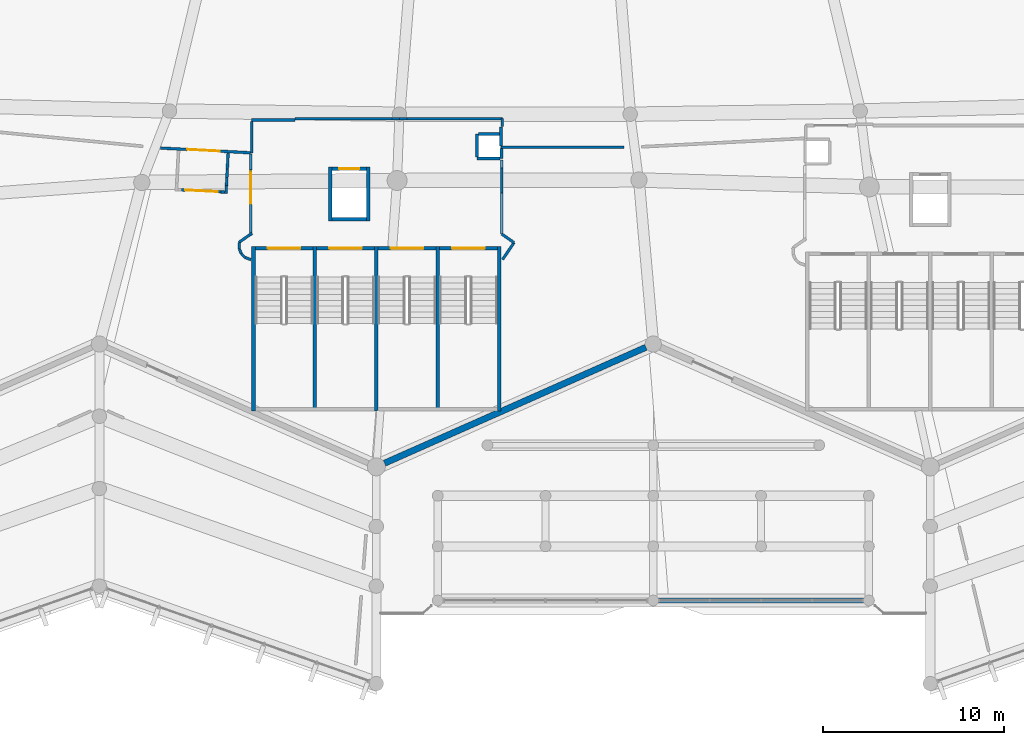
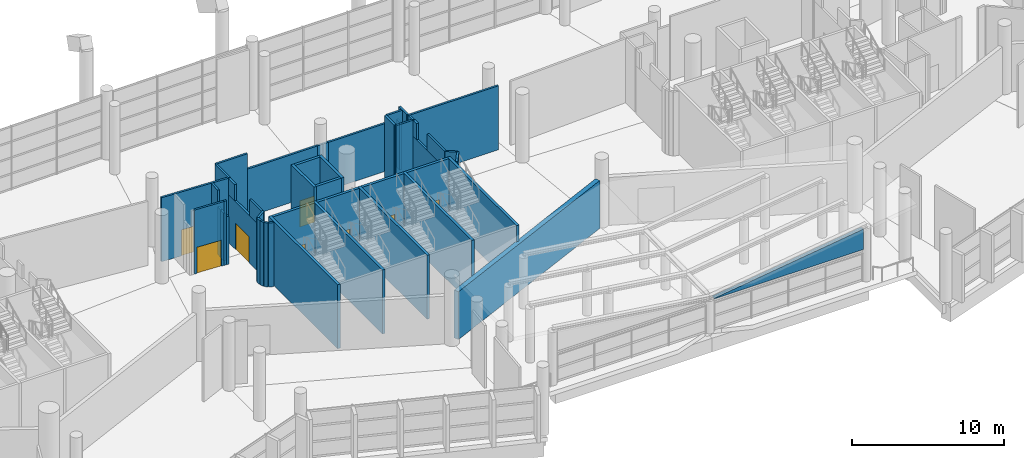
# One storey, part 164 of 271: 48 walls, 8 doors, 8 openings.
"""IFC4 building model written with IfcOpenShell, lengths in metres."""

import ifcopenshell
import ifcopenshell.guid

model = None  # the IFC model being written
_history = None  # IfcOwnerHistory: only IFC2X3 demands one
_inside = {}  # id of a spatial element -> (the spatial element, [elements in it])
_under = {}  # id of a project, library or spatial element -> (it, [spatial elements below it])
_declared = {}  # id of a project -> (the project, [libraries it declares])
_typed = {}  # id of a type object -> (the type object, [elements of that type])
_made_of = {}  # id of a material, layer set ... -> (it, [elements and type objects made of it])


def new_model(schema):
    """Start an empty IFC model of exactly this schema.

    Asked for "IFC4X3", IfcOpenShell would pick the latest addendum, in which some entities
    have other attributes; the version numbers below select the first issue.
    IFC2X3 requires an IfcOwnerHistory on every rooted entity: one is made here for all.
    """
    global model, _history
    if schema == "IFC4X3":
        model = ifcopenshell.file(schema_version=(4, 3, 0, 0))
    else:
        model = ifcopenshell.file(schema=schema)
    _inside.clear()
    _under.clear()
    _declared.clear()
    _typed.clear()
    _made_of.clear()
    _history = None
    if model.schema == "IFC2X3":
        org = make("IfcOrganization", Name="unknown")
        user = make(
            "IfcPersonAndOrganization",
            ThePerson=make("IfcPerson", FamilyName="unknown"),
            TheOrganization=org,
        )
        app = make(
            "IfcApplication",
            ApplicationDeveloper=org,
            Version="unknown",
            ApplicationFullName="unknown",
            ApplicationIdentifier="unknown",
        )
        _history = make(
            "IfcOwnerHistory",
            OwningUser=user,
            OwningApplication=app,
            ChangeAction="ADDED",
            CreationDate=0,
        )
    return model


def make(cls, **values):
    """One entity of the class cls with the attributes given. An attribute that is None is left unset."""
    return model.create_entity(
        cls, **{name: value for name, value in values.items() if value is not None}
    )


def rooted(cls, **values):
    """An entity with a GlobalId (a new one), such as an element, a storey or a relation."""
    return make(cls, GlobalId=ifcopenshell.guid.new(), OwnerHistory=_history, **values)


def si_unit(unit_type, name, prefix=None):
    """IfcSIUnit, for example si_unit("LENGTHUNIT", "METRE", prefix="MILLI")."""
    return make("IfcSIUnit", UnitType=unit_type, Prefix=prefix, Name=name)


def assignment(units):
    """IfcUnitAssignment: the units of a project."""
    return None if units is None else make("IfcUnitAssignment", Units=units)


def point(xyz):
    """IfcCartesianPoint."""
    return None if xyz is None else make("IfcCartesianPoint", Coordinates=xyz)


def direction(xyz):
    """IfcDirection."""
    return None if xyz is None else make("IfcDirection", DirectionRatios=xyz)


def frame(location, z_axis=None, x_axis=None):
    """IfcAxis2Placement3D, a coordinate frame: its origin and axes. An axis left out is left unset."""
    return make(
        "IfcAxis2Placement3D",
        Location=point(location),
        Axis=direction(z_axis),
        RefDirection=direction(x_axis),
    )


def frame_2d(location, x_axis=None):
    """IfcAxis2Placement2D, a coordinate frame in the plane: its origin and x axis."""
    return make(
        "IfcAxis2Placement2D", Location=point(location), RefDirection=direction(x_axis)
    )


def origin():
    """The frame at (0, 0, 0) with its axes left unset."""
    return frame((0.0, 0.0, 0.0))


def place(relative_to, where):
    """IfcLocalPlacement: puts the frame where relative to a parent placement (None: the world)."""
    return make(
        "IfcLocalPlacement", PlacementRelTo=relative_to, RelativePlacement=where
    )


def context(
    kind, dimensions, precision=None, world=None, true_north=None, identifier=None
):
    """IfcGeometricRepresentationContext, for example the 3D "Model" context."""
    return make(
        "IfcGeometricRepresentationContext",
        ContextIdentifier=identifier,
        ContextType=kind,
        CoordinateSpaceDimension=dimensions,
        Precision=precision,
        WorldCoordinateSystem=world,
        TrueNorth=true_north,
    )


def subcontext(parent, identifier, kind, view, scale=None):
    """IfcGeometricRepresentationSubContext, for example "Body" below "Model"."""
    return make(
        "IfcGeometricRepresentationSubContext",
        ContextIdentifier=identifier,
        ContextType=kind,
        ParentContext=parent,
        TargetScale=scale,
        TargetView=view,
    )


def project(units=None, contexts=None):
    """IfcProject with its units and contexts."""
    return rooted(
        "IfcProject",
        Name="project",
        RepresentationContexts=contexts,
        UnitsInContext=assignment(units),
    )


def spatial(cls, under=None, at=None, **own):
    """A site, building, storey or space (cls), placed at a placement, below another one or the project."""
    s = rooted(cls, ObjectPlacement=at, **own)
    if under is not None:
        _under.setdefault(under.id(), (under, []))[1].append(s)
    return s


def polyline(points):
    """IfcPolyline through the points."""
    return make("IfcPolyline", Points=[point(p) for p in points])


def profile(cls, at=None, kind="AREA", **sizes):
    """A parametric profile (cls). Its sizes go by their IFC names, for example OverallWidth=200.0."""
    return make(cls, ProfileType=kind, Position=at, **sizes)


def rectangle(**sizes):
    """IfcRectangleProfileDef."""
    return profile("IfcRectangleProfileDef", **sizes)


def outline(outer, holes=None, kind="AREA"):
    """IfcArbitraryClosedProfileDef: a profile drawn as a closed curve; with holes, ...WithVoids."""
    if holes is None:
        return make("IfcArbitraryClosedProfileDef", ProfileType=kind, OuterCurve=outer)
    return make(
        "IfcArbitraryProfileDefWithVoids",
        ProfileType=kind,
        OuterCurve=outer,
        InnerCurves=holes,
    )


def extrude(swept, where, along, depth):
    """IfcExtrudedAreaSolid: the profile swept, set in the frame where, extruded along a direction by depth."""
    return make(
        "IfcExtrudedAreaSolid",
        SweptArea=swept,
        Position=where,
        ExtrudedDirection=direction(along),
        Depth=depth,
    )


def shape(context_of_items, identifier, shape_type, items):
    """IfcShapeRepresentation: the items that make up one representation, for example the "Body"."""
    return make(
        "IfcShapeRepresentation",
        ContextOfItems=context_of_items,
        RepresentationIdentifier=identifier,
        RepresentationType=shape_type,
        Items=items,
    )


def material(Name=None, Category=None):
    """IfcMaterial."""
    return make("IfcMaterial", Name=Name, Category=Category)


def layer(
    of_material, thickness, ventilated=None, Name=None, Category=None, Priority=None
):
    """IfcMaterialLayer: one layer of a wall or slab, of a material (None: an air gap)."""
    return make(
        "IfcMaterialLayer",
        Material=of_material,
        LayerThickness=thickness,
        IsVentilated=ventilated,
        Name=Name,
        Category=Category,
        Priority=Priority,
    )


def layer_set(layers, Name=None):
    """IfcMaterialLayerSet."""
    return make("IfcMaterialLayerSet", MaterialLayers=layers, LayerSetName=Name)


def made_of(thing, what):
    """Note that an element or type object is made of a material, layer set ...; save() writes the relation."""
    if what is not None:
        _made_of.setdefault(what.id(), (what, []))[1].append(thing)
    return thing


def type_object(cls, material=None, **own):
    """A type object (cls), such as IfcWallType, which elements share."""
    return made_of(rooted(cls, **own), material)


def element(
    cls,
    number,
    at=None,
    inside=None,
    cuts=None,
    type_object=None,
    material=None,
    context=None,
    identifier="Body",
    shape_type=None,
    held_by="IfcProductDefinitionShape",
    body=None,
    shapes=None,
    **own,
):
    """One element of the class cls, such as IfcWall. Its Tag is "e" and its number.

    at: its placement. inside: the storey or other place that contains it. cuts: it is an
    opening in that element (IfcRelVoidsElement). A single representation is given by context,
    identifier, shape_type and body (its items); several are given by shapes. held_by: the class
    of the entity that holds the representations. save() writes the other relations.
    """
    e = rooted(cls, Tag="e%d" % number, ObjectPlacement=at, **own)
    if body is not None:
        shapes = [shape(context, identifier, shape_type, body)]
    if shapes is not None:
        e.Representation = make(held_by, Representations=shapes)
    if inside is not None:
        _inside.setdefault(inside.id(), (inside, []))[1].append(e)
    if cuts is not None:
        rooted(
            "IfcRelVoidsElement", RelatingBuildingElement=cuts, RelatedOpeningElement=e
        )
    if type_object is not None:
        _typed.setdefault(type_object.id(), (type_object, []))[1].append(e)
    return made_of(e, material)


def fill(opening, filler):
    """IfcRelFillsElement: the door or window that sits in an opening."""
    return rooted(
        "IfcRelFillsElement",
        RelatingOpeningElement=opening,
        RelatedBuildingElement=filler,
    )


def aggregate(whole, parts):
    """IfcRelAggregates: a whole, such as a stair, and the parts it consists of."""
    return rooted("IfcRelAggregates", RelatingObject=whole, RelatedObjects=parts)


def save(model, path):
    """Write the relations noted so far, then the file.

    IfcRelAggregates (storeys below a building ...), IfcRelContainedInSpatialStructure (elements
    in a storey), IfcRelDefinesByType, IfcRelAssociatesMaterial and IfcRelDeclares: one each for
    every whole, place, type object, material and project.
    """
    for whole, parts in _under.values():
        aggregate(whole, parts)
    for where, things in _inside.values():
        rooted(
            "IfcRelContainedInSpatialStructure",
            RelatedElements=things,
            RelatingStructure=where,
        )
    for kind, things in _typed.values():
        rooted("IfcRelDefinesByType", RelatedObjects=things, RelatingType=kind)
    for what, things in _made_of.values():
        rooted("IfcRelAssociatesMaterial", RelatedObjects=things, RelatingMaterial=what)
    for by, libraries in _declared.values():
        rooted("IfcRelDeclares", RelatingContext=by, RelatedDefinitions=libraries)
    model.write(path)


model = new_model("IFC4")

# Units and contexts
model_context = context("Model", 3, precision=1e-05, world=origin(), true_north=direction((0.0, 1.0)))
body_context = subcontext(model_context, "Body", "Model", "MODEL_VIEW")
ifc_project = project(units=[si_unit("LENGTHUNIT", "METRE"), si_unit("AREAUNIT", "SQUARE_METRE"), si_unit("VOLUMEUNIT", "CUBIC_METRE"), si_unit("PLANEANGLEUNIT", "RADIAN"), si_unit("MASSUNIT", "GRAM", prefix="KILO")], contexts=[model_context])

# Site, building, storey
site_placement = place(None, origin())
site = spatial("IfcSite", under=ifc_project, at=site_placement, CompositionType="ELEMENT")
building_placement = place(site_placement, origin())
building = spatial("IfcBuilding", under=site, at=building_placement, Name="Meseta Stadium", CompositionType="ELEMENT")
storey_placement = place(building_placement, frame((0.0, 0.0, 6.5)))
storey = spatial("IfcBuildingStorey", under=building, at=storey_placement, Name="L01", CompositionType="ELEMENT", Elevation=6.5)

# Walls
ifc_material_1 = material(Name="Concrete C40/50", Category="concrete")
ifc_layer_1 = layer(ifc_material_1, 0.199951171875)
ifc_layer_set_1 = layer_set([ifc_layer_1], Name="Core divider wall 200")
wall_type_1 = type_object("IfcWallType", Name="Core divider wall 200", PredefinedType="SHEAR", material=ifc_layer_set_1)
for number, where, z_axis, x_axis, name in (
    (1, (-11.066650390625, -102.300048828125, 0.0), (0.0, 0.0, 1.0), (0.0, 1.0, 0.0), "Core 24 L01 stair A divider wall"),
    (2, (-4.2666015625, -102.300048828125, 0.0), (0.0, 0.0, 1.0), (0.0, 1.0, 0.0), "Core 24 L01 stair B divider wall"),
):
    element("IfcWall", number, at=place(storey_placement, frame(where, z_axis=z_axis, x_axis=x_axis)), inside=storey, type_object=wall_type_1, Name=name, PredefinedType="SHEAR", context=body_context, shape_type="SweptSolid", body=[
        extrude(rectangle(XDim=9.10009765625, YDim=0.199951171875, at=frame_2d((4.550048828125, 0.0))), origin(), (0.0, 0.0, 1.0), 5.14990234375),
    ])
ifc_material_2 = material(Name="Concrete C40/50", Category="concrete")
ifc_layer_2 = layer(ifc_material_2, 0.199951171875)
ifc_layer_set_2 = layer_set([ifc_layer_2], Name="Core shaft wall 200")
wall_type_2 = type_object("IfcWallType", Name="Core shaft wall 200", PredefinedType="SHEAR", material=ifc_layer_set_2)
for number, where, z_axis, x_axis, name in (
    (3, (-14.466796875, -102.300048828125, 0.0), (0.0, 0.0, 1.0), (0.0, 1.0, 0.0), "Core 24 L01 stair wall A-side"),
    (4, (-7.666748046875, -102.300048828125, 0.0), (0.0, 0.0, 1.0), (0.0, 1.0, 0.0), "Core 24 L01 stair wall shared"),
    (5, (-0.86669921875, -102.300048828125, 0.0), (0.0, 0.0, 1.0), (0.0, 1.0, 0.0), "Core 24 L01 stair wall B-side"),
):
    element("IfcWall", number, at=place(storey_placement, frame(where, z_axis=z_axis, x_axis=x_axis)), inside=storey, type_object=wall_type_2, Name=name, PredefinedType="SHEAR", context=body_context, shape_type="SweptSolid", body=[
        extrude(rectangle(XDim=9.10009765625, YDim=0.199951171875, at=frame_2d((4.550048828125, 0.0))), origin(), (0.0, 0.0, 1.0), 5.14990234375),
    ])

# Wall, opening, door
wall_1_placement = place(storey_placement, frame((-14.36669921875, -93.300048828125, 0.0), z_axis=(0.0, 0.0, 1.0), x_axis=(1.0, 0.0, 0.0)))
wall_1 = element("IfcWall", 6, at=wall_1_placement, inside=storey, type_object=wall_type_2, Name="Core 24 L01 stair A1 inner end wall", PredefinedType="SHEAR", context=body_context, shape_type="SweptSolid", body=[
    extrude(rectangle(XDim=3.199951171875, YDim=0.199951171875, at=frame_2d((1.60009765625, 0.0))), origin(), (0.0, 0.0, 1.0), 5.14990234375),
])
opening_1_placement = place(wall_1_placement, frame((0.699951171875, 0.0, 0.0)))
opening_1 = element("IfcOpeningElement", 7, at=opening_1_placement, cuts=wall_1, Name="Opening D325", PredefinedType="OPENING", context=body_context, shape_type="SweptSolid", body=[
    extrude(rectangle(XDim=1.800048828125, YDim=2.10009765625, at=frame_2d((0.89990234375, 1.050048828125))), frame((0.0, 0.10986328125, 0.0), z_axis=(0.0, -1.0, 0.0), x_axis=(1.0, 0.0, 0.0)), (0.0, 0.0, 1.0), 0.219970703125),
])
ifc_material_3 = material(Name="Steel", Category="steel")
door_type_1 = type_object("IfcDoorType", Name="Stair door 1800x2100", OperationType="DOUBLE_DOOR_SINGLE_SWING", PredefinedType="DOOR", material=ifc_material_3)
door_1_placement = place(opening_1_placement, origin())
door_1 = element("IfcDoor", 8, at=door_1_placement, inside=storey, type_object=door_type_1, Name="Stair A1 door 24 L01", OperationType="DOUBLE_DOOR_SINGLE_SWING", OverallHeight=2.10009765625, OverallWidth=1.800048828125, PredefinedType="DOOR", context=body_context, shape_type="SweptSolid", body=[
    extrude(rectangle(XDim=1.800048828125, YDim=2.10009765625, at=frame_2d((0.89990234375, 1.050048828125))), frame((0.0, 0.02490234375, 0.0), z_axis=(0.0, -1.0, 0.0), x_axis=(1.0, 0.0, 0.0)), (0.0, 0.0, 1.0), 0.050048828125),
])
fill(opening_1, door_1)

wall_2_placement = place(storey_placement, frame((-10.966796875, -93.300048828125, 0.0), z_axis=(0.0, 0.0, 1.0), x_axis=(1.0, 0.0, 0.0)))
wall_2 = element("IfcWall", 9, at=wall_2_placement, inside=storey, type_object=wall_type_2, Name="Core 24 L01 stair A2 inner end wall", PredefinedType="SHEAR", context=body_context, shape_type="SweptSolid", body=[
    extrude(rectangle(XDim=3.2001953125, YDim=0.199951171875, at=frame_2d((1.60009765625, 0.0))), origin(), (0.0, 0.0, 1.0), 5.14990234375),
])
opening_2_placement = place(wall_2_placement, frame((0.699951171875, 0.0, 0.0)))
opening_2 = element("IfcOpeningElement", 10, at=opening_2_placement, cuts=wall_2, Name="Opening D326", PredefinedType="OPENING", context=body_context, shape_type="SweptSolid", body=[
    extrude(rectangle(XDim=1.800048828125, YDim=2.10009765625, at=frame_2d((0.89990234375, 1.050048828125))), frame((0.0, 0.10986328125, 0.0), z_axis=(0.0, -1.0, 0.0), x_axis=(1.0, 0.0, 0.0)), (0.0, 0.0, 1.0), 0.219970703125),
])
door_2_placement = place(opening_2_placement, origin())
door_2 = element("IfcDoor", 11, at=door_2_placement, inside=storey, type_object=door_type_1, Name="Stair A2 door 24 L01", OperationType="DOUBLE_DOOR_SINGLE_SWING", OverallHeight=2.10009765625, OverallWidth=1.800048828125, PredefinedType="DOOR", context=body_context, shape_type="SweptSolid", body=[
    extrude(rectangle(XDim=1.800048828125, YDim=2.10009765625, at=frame_2d((0.89990234375, 1.050048828125))), frame((0.0, 0.02490234375, 0.0), z_axis=(0.0, -1.0, 0.0), x_axis=(1.0, 0.0, 0.0)), (0.0, 0.0, 1.0), 0.050048828125),
])
fill(opening_2, door_2)

wall_3_placement = place(storey_placement, frame((-7.566650390625, -93.300048828125, 0.0), z_axis=(0.0, 0.0, 1.0), x_axis=(1.0, 0.0, 0.0)))
wall_3 = element("IfcWall", 12, at=wall_3_placement, inside=storey, type_object=wall_type_2, Name="Core 24 L01 stair B1 inner end wall", PredefinedType="SHEAR", context=body_context, shape_type="SweptSolid", body=[
    extrude(rectangle(XDim=3.199951171875, YDim=0.199951171875, at=frame_2d((1.60009765625, 0.0))), origin(), (0.0, 0.0, 1.0), 5.14990234375),
])
opening_3_placement = place(wall_3_placement, frame((0.699951171875, 0.0, 0.0)))
opening_3 = element("IfcOpeningElement", 13, at=opening_3_placement, cuts=wall_3, Name="Opening D327", PredefinedType="OPENING", context=body_context, shape_type="SweptSolid", body=[
    extrude(rectangle(XDim=1.800048828125, YDim=2.10009765625, at=frame_2d((0.89990234375, 1.050048828125))), frame((0.0, 0.10986328125, 0.0), z_axis=(0.0, -1.0, 0.0), x_axis=(1.0, 0.0, 0.0)), (0.0, 0.0, 1.0), 0.219970703125),
])
door_3_placement = place(opening_3_placement, origin())
door_3 = element("IfcDoor", 14, at=door_3_placement, inside=storey, type_object=door_type_1, Name="Stair B1 door 24 L01", OperationType="DOUBLE_DOOR_SINGLE_SWING", OverallHeight=2.10009765625, OverallWidth=1.800048828125, PredefinedType="DOOR", context=body_context, shape_type="SweptSolid", body=[
    extrude(rectangle(XDim=1.800048828125, YDim=2.10009765625, at=frame_2d((0.89990234375, 1.050048828125))), frame((0.0, 0.02490234375, 0.0), z_axis=(0.0, -1.0, 0.0), x_axis=(1.0, 0.0, 0.0)), (0.0, 0.0, 1.0), 0.050048828125),
])
fill(opening_3, door_3)

wall_4_placement = place(storey_placement, frame((-4.166748046875, -93.300048828125, 0.0), z_axis=(0.0, 0.0, 1.0), x_axis=(1.0, 0.0, 0.0)))
wall_4 = element("IfcWall", 15, at=wall_4_placement, inside=storey, type_object=wall_type_2, Name="Core 24 L01 stair B2 inner end wall", PredefinedType="SHEAR", context=body_context, shape_type="SweptSolid", body=[
    extrude(rectangle(XDim=3.199951171875, YDim=0.199951171875, at=frame_2d((1.60009765625, 0.0))), origin(), (0.0, 0.0, 1.0), 5.14990234375),
])
opening_4_placement = place(wall_4_placement, frame((0.699951171875, 0.0, 0.0)))
opening_4 = element("IfcOpeningElement", 16, at=opening_4_placement, cuts=wall_4, Name="Opening D328", PredefinedType="OPENING", context=body_context, shape_type="SweptSolid", body=[
    extrude(rectangle(XDim=1.800048828125, YDim=2.10009765625, at=frame_2d((0.89990234375, 1.050048828125))), frame((0.0, 0.10986328125, 0.0), z_axis=(0.0, -1.0, 0.0), x_axis=(1.0, 0.0, 0.0)), (0.0, 0.0, 1.0), 0.219970703125),
])
door_4_placement = place(opening_4_placement, origin())
door_4 = element("IfcDoor", 17, at=door_4_placement, inside=storey, type_object=door_type_1, Name="Stair B2 door 24 L01", OperationType="DOUBLE_DOOR_SINGLE_SWING", OverallHeight=2.10009765625, OverallWidth=1.800048828125, PredefinedType="DOOR", context=body_context, shape_type="SweptSolid", body=[
    extrude(rectangle(XDim=1.800048828125, YDim=2.10009765625, at=frame_2d((0.89990234375, 1.050048828125))), frame((0.0, 0.02490234375, 0.0), z_axis=(0.0, -1.0, 0.0), x_axis=(1.0, 0.0, 0.0)), (0.0, 0.0, 1.0), 0.050048828125),
])
fill(opening_4, door_4)

# Walls
for number, where, z_axis, x_axis, name in (
    (18, (-10.216796875, -91.800048828125, 0.0), (0.0, 0.0, 1.0), (0.0, 1.0, 0.0), "Core 24 L01 lift shaft wall left"),
    (19, (-8.11669921875, -91.800048828125, 0.0), (0.0, 0.0, 1.0), (0.0, 1.0, 0.0), "Core 24 L01 lift shaft wall right"),
):
    element("IfcWall", number, at=place(storey_placement, frame(where, z_axis=z_axis, x_axis=x_axis)), inside=storey, type_object=wall_type_2, Name=name, PredefinedType="SHEAR", context=body_context, shape_type="SweptSolid", body=[
        extrude(rectangle(XDim=3.0, YDim=0.199951171875, at=frame_2d((1.5, 0.0))), origin(), (0.0, 0.0, 1.0), 5.14990234375),
    ])
wall_5_placement = place(storey_placement, frame((-10.11669921875, -91.699951171875, 0.0), z_axis=(0.0, 0.0, 1.0), x_axis=(1.0, 0.0, 0.0)))
element("IfcWall", 20, at=wall_5_placement, inside=storey, type_object=wall_type_2, Name="Core 24 L01 lift shaft back wall", PredefinedType="SHEAR", context=body_context, shape_type="SweptSolid", body=[
    extrude(rectangle(XDim=1.89990234375, YDim=0.199951171875, at=frame_2d((0.949951171875, 0.0))), origin(), (0.0, 0.0, 1.0), 5.14990234375),
])

# Wall, opening, door
wall_6_placement = place(storey_placement, frame((-10.11669921875, -88.89990234375, 0.0), z_axis=(0.0, 0.0, 1.0), x_axis=(1.0, 0.0, 0.0)))
wall_6 = element("IfcWall", 21, at=wall_6_placement, inside=storey, type_object=wall_type_2, Name="Core 24 L01 lift shaft front wall", PredefinedType="SHEAR", context=body_context, shape_type="SweptSolid", body=[
    extrude(rectangle(XDim=1.89990234375, YDim=0.199951171875, at=frame_2d((0.949951171875, 0.0))), origin(), (0.0, 0.0, 1.0), 5.14990234375),
])
opening_5_placement = place(wall_6_placement, frame((0.39990234375, 0.0, 0.0)))
opening_5 = element("IfcOpeningElement", 22, at=opening_5_placement, cuts=wall_6, Name="Opening LD131", PredefinedType="OPENING", context=body_context, shape_type="SweptSolid", body=[
    extrude(rectangle(XDim=1.10009765625, YDim=2.10009765625, at=frame_2d((0.550048828125, 1.050048828125))), frame((0.0, 0.10986328125, 0.0), z_axis=(0.0, -1.0, 0.0), x_axis=(1.0, 0.0, 0.0)), (0.0, 0.0, 1.0), 0.219970703125),
])
ifc_material_4 = material(Name="Steel", Category="steel")
door_type_2 = type_object("IfcDoorType", Name="Lift landing door 1100x2100", OperationType="SLIDING_TO_LEFT", PredefinedType="DOOR", material=ifc_material_4)
door_5_placement = place(opening_5_placement, origin())
door_5 = element("IfcDoor", 23, at=door_5_placement, inside=storey, type_object=door_type_2, Name="Lift landing door LD131", OperationType="SLIDING_TO_LEFT", OverallHeight=2.10009765625, OverallWidth=1.10009765625, PredefinedType="DOOR", context=body_context, shape_type="SweptSolid", body=[
    extrude(rectangle(XDim=1.10009765625, YDim=2.10009765625, at=frame_2d((0.550048828125, 1.050048828125))), frame((0.0, 0.02490234375, 0.0), z_axis=(0.0, -1.0, 0.0), x_axis=(1.0, 0.0, 0.0)), (0.0, 0.0, 1.0), 0.050048828125),
])
fill(opening_5, door_5)

# Walls
ifc_material_5 = material(Name="Precast concrete C40/50", Category="concrete")
ifc_layer_3 = layer(ifc_material_5, 0.300048828125)
ifc_layer_set_3 = layer_set([ifc_layer_3], Name="Gate facade panel wall 300")
wall_type_3 = type_object("IfcWallType", Name="Gate facade panel wall 300", PredefinedType="SOLIDWALL", material=ifc_layer_set_3)
wall_7_placement = place(storey_placement, frame((7.966796875, -112.800048828125, 2.599365234375), z_axis=(0.0, 0.0, 1.0), x_axis=(1.0, 0.0, 0.0)))
element("IfcWall", 24, at=wall_7_placement, inside=storey, type_object=wall_type_3, Name="Gate 7 gable panel wall", PredefinedType="SOLIDWALL", context=body_context, shape_type="SweptSolid", body=[
    extrude(outline(polyline([(0.0, 0.0), (11.333251953125, 0.0), (11.333251953125, 1.638671875), (0.0, 0.052001953125), (0.0, 0.0)])), frame((0.0, 0.14990234375, 0.0), z_axis=(0.0, -1.0, 0.0), x_axis=(1.0, 0.0, 0.0)), (0.0, 0.0, 1.0), 0.300048828125),
])
ifc_material_6 = material(Name="Masonry blockwork", Category="masonry")
ifc_layer_4 = layer(ifc_material_6, 0.14990234375)
ifc_layer_set_4 = layer_set([ifc_layer_4], Name="Partition 150")
wall_type_4 = type_object("IfcWallType", Name="Partition 150", PredefinedType="PARTITIONING", material=ifc_layer_set_4)
wall_8_placement = place(storey_placement, frame((-12.16845703125, -86.199951171875, 0.0), z_axis=(0.0, 0.0, 1.0), x_axis=(-1.0, 0.0, 0.0)))
element("IfcWall", 25, at=wall_8_placement, inside=storey, type_object=wall_type_4, Name="Partition L01 L01-cell22-0-0", PredefinedType="PARTITIONING", context=body_context, shape_type="SweptSolid", body=[
    extrude(rectangle(XDim=2.398193359375, YDim=0.14990234375, at=frame_2d((1.19921875, 0.0))), origin(), (0.0, 0.0, 1.0), 5.14990234375),
])
wall_9_placement = place(storey_placement, frame((-14.566650390625, -86.27490234375, 0.0), z_axis=(0.0, 0.0, 1.0), x_axis=(0.0, -1.0, 0.0)))
element("IfcWall", 26, at=wall_9_placement, inside=storey, type_object=wall_type_4, Name="Partition L01 L01-cell22-0-0", PredefinedType="PARTITIONING", context=body_context, shape_type="SweptSolid", body=[
    extrude(rectangle(XDim=1.740966796875, YDim=0.14990234375, at=frame_2d((0.87060546875, 0.0))), origin(), (0.0, 0.0, 1.0), 5.14990234375),
])

# Wall, opening, door
wall_10_placement = place(storey_placement, frame((-14.6416015625, -88.01171875, 0.0), z_axis=(0.0, 0.0, 1.0), x_axis=(-0.998613893233, 0.052633565738, 0.0)))
wall_10 = element("IfcWall", 27, at=wall_10_placement, inside=storey, type_object=wall_type_4, Name="Partition L01 L01-cell22-0-0", PredefinedType="PARTITIONING", context=body_context, shape_type="SweptSolid", body=[
    extrude(rectangle(XDim=4.972412109375, YDim=0.14990234375, at=frame_2d((2.486328125, 0.0))), origin(), (0.0, 0.0, 1.0), 5.14990234375),
])
opening_6_placement = place(wall_10_placement, frame((1.699951171875, 0.0, 0.0)))
opening_6 = element("IfcOpeningElement", 28, at=opening_6_placement, cuts=wall_10, Name="Opening D671", PredefinedType="OPENING", context=body_context, shape_type="SweptSolid", body=[
    extrude(rectangle(XDim=1.800048828125, YDim=2.10009765625, at=frame_2d((0.89990234375, 1.050048828125))), frame((0.0, 0.0849609375, 0.0), z_axis=(0.0, -1.0, 0.0), x_axis=(1.0, 0.0, 0.0)), (0.0, 0.0, 1.0), 0.169921875),
])
ifc_material_7 = material(Name="Steel", Category="steel")
door_type_3 = type_object("IfcDoorType", Name="Fire double door 1800x2100 EI2 60", OperationType="DOUBLE_DOOR_SINGLE_SWING", PredefinedType="DOOR", material=ifc_material_7)
door_6_placement = place(opening_6_placement, origin())
door_6 = element("IfcDoor", 29, at=door_6_placement, inside=storey, type_object=door_type_3, Name="Door D671", OperationType="DOUBLE_DOOR_SINGLE_SWING", OverallHeight=2.10009765625, OverallWidth=1.800048828125, PredefinedType="DOOR", context=body_context, shape_type="SweptSolid", body=[
    extrude(rectangle(XDim=1.800048828125, YDim=2.10009765625, at=frame_2d((0.89990234375, 1.050048828125))), frame((0.0, 0.02490234375, 0.0), z_axis=(0.0, -1.0, 0.0), x_axis=(1.0, 0.0, 0.0)), (0.0, 0.0, 1.0), 0.050048828125),
])
fill(opening_6, door_6)

# Walls
wall_11_placement = place(storey_placement, frame((6.045654296875, -87.705810546875, 0.0), z_axis=(0.0, 0.0, 1.0), x_axis=(-1.0, 0.0, 0.0)))
element("IfcWall", 30, at=wall_11_placement, inside=storey, type_object=wall_type_4, Name="Partition L01 L01-cell23-0-0", PredefinedType="PARTITIONING", context=body_context, shape_type="SweptSolid", body=[
    extrude(rectangle(XDim=6.812255859375, YDim=0.14990234375, at=frame_2d((3.40625, 0.0))), origin(), (0.0, 0.0, 1.0), 5.14990234375),
])
wall_12_placement = place(storey_placement, frame((-0.7666015625, -87.630859375, 0.0), z_axis=(0.0, 0.0, 1.0), x_axis=(0.0, 1.0, 0.0)))
element("IfcWall", 31, at=wall_12_placement, inside=storey, type_object=wall_type_4, Name="Partition L01 L01-cell23-0-0", PredefinedType="PARTITIONING", context=body_context, shape_type="SweptSolid", body=[
    extrude(rectangle(XDim=1.054443359375, YDim=0.14990234375, at=frame_2d((0.52734375, 0.0))), origin(), (0.0, 0.0, 1.0), 5.14990234375),
])
wall_13_placement = place(storey_placement, frame((-2.091796875, -88.324951171875, 0.0), z_axis=(0.0, 0.0, 1.0), x_axis=(1.0, 0.0, 0.0)))
element("IfcWall", 32, at=wall_13_placement, inside=storey, type_object=wall_type_4, Name="Pressurisation shaft wall L01 core 24", PredefinedType="PARTITIONING", context=body_context, shape_type="SweptSolid", body=[
    extrude(rectangle(XDim=1.275146484375, YDim=0.14990234375, at=frame_2d((0.6376953125, 0.0))), origin(), (0.0, 0.0, 1.0), 5.14990234375),
])
wall_14_placement = place(storey_placement, frame((-0.74169921875, -88.324951171875, 0.0), z_axis=(0.0, 0.0, 1.0), x_axis=(0.0, 1.0, 0.0)))
element("IfcWall", 33, at=wall_14_placement, inside=storey, type_object=wall_type_4, Name="Pressurisation shaft wall L01 core 24", PredefinedType="PARTITIONING", context=body_context, shape_type="SweptSolid", body=[
    extrude(rectangle(XDim=0.543212890625, YDim=0.14990234375, at=frame_2d((0.271484375, 0.0))), origin(), (0.0, 0.0, 1.0), 5.14990234375),
])
wall_15_placement = place(storey_placement, frame((-0.8427734375, -86.97509765625, 0.0), z_axis=(0.0, 0.0, 1.0), x_axis=(-1.0, 0.0, 0.0)))
element("IfcWall", 34, at=wall_15_placement, inside=storey, type_object=wall_type_4, Name="Pressurisation shaft wall L01 core 24", PredefinedType="PARTITIONING", context=body_context, shape_type="SweptSolid", body=[
    extrude(rectangle(XDim=1.173828125, YDim=0.14990234375, at=frame_2d((0.5869140625, 0.0))), origin(), (0.0, 0.0, 1.0), 5.14990234375),
])
wall_16_placement = place(storey_placement, frame((-2.091796875, -86.97509765625, 0.0), z_axis=(0.0, 0.0, 1.0), x_axis=(0.0, -1.0, 0.0)))
element("IfcWall", 35, at=wall_16_placement, inside=storey, type_object=wall_type_4, Name="Pressurisation shaft wall L01 core 24", PredefinedType="PARTITIONING", context=body_context, shape_type="SweptSolid", body=[
    extrude(rectangle(XDim=1.27490234375, YDim=0.14990234375, at=frame_2d((0.637451171875, 0.0))), origin(), (0.0, 0.0, 1.0), 5.14990234375),
])
wall_17_placement = place(storey_placement, frame((-14.547119140625, -92.4638671875, 0.0), z_axis=(0.0, 0.0, 1.0), x_axis=(-0.817670329912, -0.57568674779, 0.0)))
element("IfcWall", 36, at=wall_17_placement, inside=storey, type_object=wall_type_4, Name="Stair vestibule wall L01 core 24", PredefinedType="PARTITIONING", context=body_context, shape_type="SweptSolid", body=[
    extrude(rectangle(XDim=0.875732421875, YDim=0.14990234375, at=frame_2d((0.43798828125, 0.0))), origin(), (0.0, 0.0, 1.0), 5.14990234375),
])
wall_18_placement = place(storey_placement, frame((-15.26318359375, -92.968017578125, 0.0), z_axis=(0.0, 0.0, 1.0), x_axis=(0.039007374993, -0.999238922729, 0.0)))
element("IfcWall", 37, at=wall_18_placement, inside=storey, type_object=wall_type_4, Name="Stair vestibule wall L01 core 24", PredefinedType="PARTITIONING", context=body_context, shape_type="SweptSolid", body=[
    extrude(rectangle(XDim=0.37548828125, YDim=0.14990234375, at=frame_2d((0.187744140625, 0.0))), origin(), (0.0, 0.0, 1.0), 5.14990234375),
])
wall_19_placement = place(storey_placement, frame((-15.24853515625, -93.34326171875, 0.0), z_axis=(0.0, 0.0, 1.0), x_axis=(0.382275228123, -0.924048510611, 0.0)))
element("IfcWall", 38, at=wall_19_placement, inside=storey, type_object=wall_type_4, Name="Stair vestibule wall L01 core 24", PredefinedType="PARTITIONING", context=body_context, shape_type="SweptSolid", body=[
    extrude(rectangle(XDim=0.28173828125, YDim=0.14990234375, at=frame_2d((0.140869140625, 0.0))), origin(), (0.0, 0.0, 1.0), 5.14990234375),
])
wall_20_placement = place(storey_placement, frame((-15.140869140625, -93.603515625, 0.0), z_axis=(0.0, 0.0, 1.0), x_axis=(0.707106781187, -0.707106781187, 0.0)))
element("IfcWall", 39, at=wall_20_placement, inside=storey, type_object=wall_type_4, Name="Stair vestibule wall L01 core 24", PredefinedType="PARTITIONING", context=body_context, shape_type="SweptSolid", body=[
    extrude(rectangle(XDim=0.28515625, YDim=0.14990234375, at=frame_2d((0.142578125, 0.0))), origin(), (0.0, 0.0, 1.0), 5.14990234375),
])
wall_21_placement = place(storey_placement, frame((-14.939208984375, -93.80517578125, 0.0), z_axis=(0.0, 0.0, 1.0), x_axis=(0.937897537761, -0.346912393353, 0.0)))
element("IfcWall", 40, at=wall_21_placement, inside=storey, type_object=wall_type_4, Name="Stair vestibule wall L01 core 24", PredefinedType="PARTITIONING", context=body_context, shape_type="SweptSolid", body=[
    extrude(rectangle(XDim=0.356201171875, YDim=0.14990234375, at=frame_2d((0.17822265625, 0.0))), origin(), (0.0, 0.0, 1.0), 5.14990234375),
])
wall_22_placement = place(storey_placement, frame((-0.677001953125, -93.919677734375, 0.0), z_axis=(0.0, 0.0, 1.0), x_axis=(0.561972470497, 0.827155935966, 0.0)))
element("IfcWall", 41, at=wall_22_placement, inside=storey, type_object=wall_type_4, Name="Stair vestibule wall L01 core 24", PredefinedType="PARTITIONING", context=body_context, shape_type="SweptSolid", body=[
    extrude(rectangle(XDim=1.127685546875, YDim=0.14990234375, at=frame_2d((0.56396484375, 0.0))), origin(), (0.0, 0.0, 1.0), 5.14990234375),
])
wall_23_placement = place(storey_placement, frame((-0.043212890625, -92.98681640625, 0.0), z_axis=(0.0, 0.0, 1.0), x_axis=(-0.81774999294, 0.575573582652, 0.0)))
element("IfcWall", 42, at=wall_23_placement, inside=storey, type_object=wall_type_4, Name="Stair vestibule wall L01 core 24", PredefinedType="PARTITIONING", context=body_context, shape_type="SweptSolid", body=[
    extrude(rectangle(XDim=0.82958984375, YDim=0.14990234375, at=frame_2d((0.414794921875, 0.0))), origin(), (0.0, 0.0, 1.0), 5.14990234375),
])
wall_24_placement = place(storey_placement, frame((-0.7216796875, -92.50927734375, 0.0), z_axis=(0.0, 0.0, 1.0), x_axis=(0.0, 1.0, 0.0)))
element("IfcWall", 43, at=wall_24_placement, inside=storey, type_object=wall_type_4, Name="Stair vestibule wall L01 core 24", PredefinedType="PARTITIONING", context=body_context, shape_type="SweptSolid", body=[
    extrude(rectangle(XDim=4.103515625, YDim=0.14990234375, at=frame_2d((2.0517578125, 0.0))), origin(), (0.0, 0.0, 1.0), 3.85009765625),
])
wall_25_placement = place(storey_placement, frame((-0.7216796875, -92.50927734375, 3.85009765625), z_axis=(0.0, 0.0, 1.0), x_axis=(0.0, 1.0, 0.0)))
element("IfcWall", 44, at=wall_25_placement, inside=storey, type_object=wall_type_4, Name="Stair vestibule wall L01 core 24", PredefinedType="PARTITIONING", context=body_context, shape_type="SweptSolid", body=[
    extrude(rectangle(XDim=2.27978515625, YDim=0.14990234375, at=frame_2d((1.139892578125, 0.0))), origin(), (0.0, 0.0, 1.0), 1.2998046875),
])
wall_26_placement = place(storey_placement, frame((-0.7216796875, -88.86181640625, 3.85009765625), z_axis=(0.0, 0.0, 1.0), x_axis=(0.0, 1.0, 0.0)))
element("IfcWall", 45, at=wall_26_placement, inside=storey, type_object=wall_type_4, Name="Stair vestibule wall L01 core 24", PredefinedType="PARTITIONING", context=body_context, shape_type="SweptSolid", body=[
    extrude(rectangle(XDim=0.4560546875, YDim=0.14990234375, at=frame_2d((0.22802734375, 0.0))), origin(), (0.0, 0.0, 1.0), 1.2998046875),
])
wall_27_placement = place(storey_placement, frame((-0.691650390625, -86.56640625, 0.0), z_axis=(0.0, 0.0, 1.0), x_axis=(0.0, 1.0, 0.0)))
element("IfcWall", 46, at=wall_27_placement, inside=storey, type_object=wall_type_4, Name="Stair vestibule wall L01 core 24", PredefinedType="PARTITIONING", context=body_context, shape_type="SweptSolid", body=[
    extrude(rectangle(XDim=0.44140625, YDim=0.14990234375, at=frame_2d((0.220703125, 0.0))), origin(), (0.0, 0.0, 1.0), 3.85009765625),
])
wall_28_placement = place(storey_placement, frame((-0.691650390625, -86.125, 0.0), z_axis=(0.0, 0.0, 1.0), x_axis=(-1.0, 0.0, 0.0)))
element("IfcWall", 47, at=wall_28_placement, inside=storey, type_object=wall_type_4, Name="Stair vestibule wall L01 core 24", PredefinedType="PARTITIONING", context=body_context, shape_type="SweptSolid", body=[
    extrude(rectangle(XDim=5.279052734375, YDim=0.14990234375, at=frame_2d((2.6396484375, 0.0))), origin(), (0.0, 0.0, 1.0), 3.85009765625),
])
wall_29_placement = place(storey_placement, frame((-6.80322265625, -86.125, 0.0), z_axis=(0.0, 0.0, 1.0), x_axis=(-1.0, 0.0, 0.0)))
element("IfcWall", 48, at=wall_29_placement, inside=storey, type_object=wall_type_4, Name="Stair vestibule wall L01 core 24", PredefinedType="PARTITIONING", context=body_context, shape_type="SweptSolid", body=[
    extrude(rectangle(XDim=5.355224609375, YDim=0.14990234375, at=frame_2d((2.677734375, 0.0))), origin(), (0.0, 0.0, 1.0), 3.85009765625),
])

# Wall, opening, door
wall_30_placement = place(storey_placement, frame((-14.61181640625, -88.087646484375, 0.0), z_axis=(0.0, 0.0, 1.0), x_axis=(0.0, -1.0, 0.0)))
wall_30 = element("IfcWall", 49, at=wall_30_placement, inside=storey, type_object=wall_type_4, Name="Stair vestibule wall L01 core 24", PredefinedType="PARTITIONING", context=body_context, shape_type="SweptSolid", body=[
    extrude(rectangle(XDim=4.50048828125, YDim=0.14990234375, at=frame_2d((2.250244140625, 0.0))), origin(), (0.0, 0.0, 1.0), 3.85009765625),
])
opening_7_placement = place(wall_30_placement, frame((0.949951171875, 0.0, 0.0)))
opening_7 = element("IfcOpeningElement", 50, at=opening_7_placement, cuts=wall_30, Name="Opening D804", PredefinedType="OPENING", context=body_context, shape_type="SweptSolid", body=[
    extrude(rectangle(XDim=1.800048828125, YDim=2.10009765625, at=frame_2d((0.89990234375, 1.050048828125))), frame((0.0, 0.0849609375, 0.0), z_axis=(0.0, -1.0, 0.0), x_axis=(1.0, 0.0, 0.0)), (0.0, 0.0, 1.0), 0.169921875),
])
door_7_placement = place(opening_7_placement, origin())
door_7 = element("IfcDoor", 51, at=door_7_placement, inside=storey, type_object=door_type_3, Name="Stair vestibule door L01 core 24", OperationType="DOUBLE_DOOR_SINGLE_SWING", OverallHeight=2.10009765625, OverallWidth=1.800048828125, PredefinedType="DOOR", context=body_context, shape_type="SweptSolid", body=[
    extrude(rectangle(XDim=1.800048828125, YDim=2.10009765625, at=frame_2d((0.89990234375, 1.050048828125))), frame((0.0, 0.02490234375, 0.0), z_axis=(0.0, -1.0, 0.0), x_axis=(1.0, 0.0, 0.0)), (0.0, 0.0, 1.0), 0.050048828125),
])
fill(opening_7, door_7)

# Walls
wall_31_placement = place(storey_placement, frame((-14.61181640625, -88.087646484375, 3.85009765625), z_axis=(0.0, 0.0, 1.0), x_axis=(0.0, -1.0, 0.0)))
element("IfcWall", 52, at=wall_31_placement, inside=storey, type_object=wall_type_4, Name="Stair vestibule wall L01 core 24", PredefinedType="PARTITIONING", context=body_context, shape_type="SweptSolid", body=[
    extrude(rectangle(XDim=0.8505859375, YDim=0.14990234375, at=frame_2d((0.42529296875, 0.0))), origin(), (0.0, 0.0, 1.0), 1.2998046875),
])
wall_32_placement = place(storey_placement, frame((-14.61181640625, -90.8876953125, 3.85009765625), z_axis=(0.0, 0.0, 1.0), x_axis=(0.0, -1.0, 0.0)))
element("IfcWall", 53, at=wall_32_placement, inside=storey, type_object=wall_type_4, Name="Stair vestibule wall L01 core 24", PredefinedType="PARTITIONING", context=body_context, shape_type="SweptSolid", body=[
    extrude(rectangle(XDim=1.700439453125, YDim=0.14990234375, at=frame_2d((0.85009765625, 0.0))), origin(), (0.0, 0.0, 1.0), 1.2998046875),
])
wall_33_placement = place(storey_placement, frame((-5.970703125, -86.125, 0.0), z_axis=(0.0, 0.0, 1.0), x_axis=(-1.0, 0.0, 0.0)))
element("IfcWall", 54, at=wall_33_placement, inside=storey, type_object=wall_type_4, Name="Stair vestibule wall L01 core 24", PredefinedType="PARTITIONING", context=body_context, shape_type="SweptSolid", body=[
    extrude(rectangle(XDim=0.41650390625, YDim=0.14990234375, at=frame_2d((0.208251953125, 0.0))), origin(), (0.0, 0.0, 1.0), 3.85009765625),
])
wall_34_placement = place(storey_placement, frame((-6.38720703125, -86.125, 0.0), z_axis=(0.0, 0.0, 1.0), x_axis=(-1.0, 0.0, 0.0)))
element("IfcWall", 55, at=wall_34_placement, inside=storey, type_object=wall_type_4, Name="Stair vestibule wall L01 core 24", PredefinedType="PARTITIONING", context=body_context, shape_type="SweptSolid", body=[
    extrude(rectangle(XDim=0.416015625, YDim=0.14990234375, at=frame_2d((0.2080078125, 0.0))), origin(), (0.0, 0.0, 1.0), 3.85009765625),
])
wall_35_placement = place(storey_placement, frame((-15.868896484375, -88.022216796875, 0.0), z_axis=(0.0, 0.0, 1.0), x_axis=(-0.052630027564, -0.998614079712, 0.0)))
element("IfcWall", 56, at=wall_35_placement, inside=storey, type_object=wall_type_4, Name="Partition L01 L01-cell22-0-0 vestibule", PredefinedType="PARTITIONING", context=body_context, shape_type="SweptSolid", body=[
    extrude(rectangle(XDim=0.89990234375, YDim=0.14990234375, at=frame_2d((0.449951171875, 0.0))), origin(), (0.0, 0.0, 1.0), 5.14990234375),
])
wall_36_placement = place(storey_placement, frame((-15.916259765625, -88.9208984375, 0.0), z_axis=(0.0, 0.0, 1.0), x_axis=(-0.052615773272, -0.998614830855, 0.0)))
element("IfcWall", 57, at=wall_36_placement, inside=storey, type_object=wall_type_4, Name="Partition L01 L01-cell22-0-0 vestibule", PredefinedType="PARTITIONING", context=body_context, shape_type="SweptSolid", body=[
    extrude(rectangle(XDim=0.4501953125, YDim=0.14990234375, at=frame_2d((0.22509765625, 0.0))), origin(), (0.0, 0.0, 1.0), 3.85009765625),
])
wall_37_placement = place(storey_placement, frame((-15.93994140625, -89.370361328125, 0.0), z_axis=(0.0, 0.0, 1.0), x_axis=(-0.052644289572, -0.998613327958, 0.0)))
element("IfcWall", 58, at=wall_37_placement, inside=storey, type_object=wall_type_4, Name="Partition L01 L01-cell22-0-0 vestibule", PredefinedType="PARTITIONING", context=body_context, shape_type="SweptSolid", body=[
    extrude(rectangle(XDim=0.449951171875, YDim=0.14990234375, at=frame_2d((0.22509765625, 0.0))), origin(), (0.0, 0.0, 1.0), 3.85009765625),
])
wall_38_placement = place(storey_placement, frame((-15.963623046875, -89.819580078125, 0.0), z_axis=(0.0, 0.0, 1.0), x_axis=(-0.052615773272, -0.998614830855, 0.0)))
element("IfcWall", 59, at=wall_38_placement, inside=storey, type_object=wall_type_4, Name="Partition L01 L01-cell22-0-0 vestibule", PredefinedType="PARTITIONING", context=body_context, shape_type="SweptSolid", body=[
    extrude(rectangle(XDim=0.4501953125, YDim=0.14990234375, at=frame_2d((0.22509765625, 0.0))), origin(), (0.0, 0.0, 1.0), 3.85009765625),
])
wall_39_placement = place(storey_placement, frame((-16.058349609375, -90.190185546875, 0.0), z_axis=(0.0, 0.0, 1.0), x_axis=(-0.998621199675, 0.05249475744, 0.0)))
element("IfcWall", 60, at=wall_39_placement, inside=storey, type_object=wall_type_4, Name="Partition L01 L01-cell22-0-0 vestibule", PredefinedType="PARTITIONING", context=body_context, shape_type="SweptSolid", body=[
    extrude(rectangle(XDim=0.199951171875, YDim=0.14990234375, at=frame_2d((0.10009765625, 0.0))), origin(), (0.0, 0.0, 1.0), 5.14990234375),
])

# Wall, opening, door
wall_40_placement = place(storey_placement, frame((-16.258056640625, -90.1796875, 0.0), z_axis=(0.0, 0.0, 1.0), x_axis=(-0.998615682679, 0.052599603688, 0.0)))
wall_40 = element("IfcWall", 61, at=wall_40_placement, inside=storey, type_object=wall_type_4, Name="Partition L01 L01-cell22-0-0 vestibule", PredefinedType="PARTITIONING", context=body_context, shape_type="SweptSolid", body=[
    extrude(rectangle(XDim=2.199951171875, YDim=0.14990234375, at=frame_2d((1.10009765625, 0.0))), origin(), (0.0, 0.0, 1.0), 5.14990234375),
])
opening_8_placement = place(wall_40_placement, frame((0.199951171875, 0.0, 0.0)))
opening_8 = element("IfcOpeningElement", 62, at=opening_8_placement, cuts=wall_40, Name="Opening D914", PredefinedType="OPENING", context=body_context, shape_type="SweptSolid", body=[
    extrude(rectangle(XDim=1.800048828125, YDim=2.10009765625, at=frame_2d((0.89990234375, 1.050048828125))), frame((0.0, 0.0849609375, 0.0), z_axis=(0.0, -1.0, 0.0), x_axis=(1.0, 0.0, 0.0)), (0.0, 0.0, 1.0), 0.169921875),
])
door_8_placement = place(opening_8_placement, origin())
door_8 = element("IfcDoor", 63, at=door_8_placement, inside=storey, type_object=door_type_3, Name="Vestibule door L01 L01-cell22-0-0", OperationType="DOUBLE_DOOR_SINGLE_SWING", OverallHeight=2.10009765625, OverallWidth=1.800048828125, PredefinedType="DOOR", context=body_context, shape_type="SweptSolid", body=[
    extrude(rectangle(XDim=1.800048828125, YDim=2.10009765625, at=frame_2d((0.89990234375, 1.050048828125))), frame((0.0, 0.02490234375, 0.0), z_axis=(0.0, -1.0, 0.0), x_axis=(1.0, 0.0, 0.0)), (0.0, 0.0, 1.0), 0.050048828125),
])
fill(opening_8, door_8)

# Wall
ifc_material_8 = material(Name="White precast concrete C40/50", Category="concrete")
ifc_layer_5 = layer(ifc_material_8, 0.35009765625)
ifc_layer_set_5 = layer_set([ifc_layer_5], Name="Pleated panel wall 350 gate")
wall_type_5 = type_object("IfcWallType", Name="Pleated panel wall 350 gate", PredefinedType="SOLIDWALL", material=ifc_layer_set_5)
wall_41_placement = place(storey_placement, frame((7.255615234375, -98.7822265625, 0.0), z_axis=(0.0, 0.0, 1.0), x_axis=(-0.914136361455, -0.405406848322, 0.0)))
element("IfcWall", 64, at=wall_41_placement, inside=storey, type_object=wall_type_5, Name="Pleated facade panel L01 F46", PredefinedType="SOLIDWALL", context=body_context, shape_type="SweptSolid", body=[
    extrude(rectangle(XDim=15.82421875, YDim=0.35009765625, at=frame_2d((7.912109375, 0.0))), origin(), (0.0, 0.0, 1.0), 3.85009765625),
])

save(model, "model.ifc")
